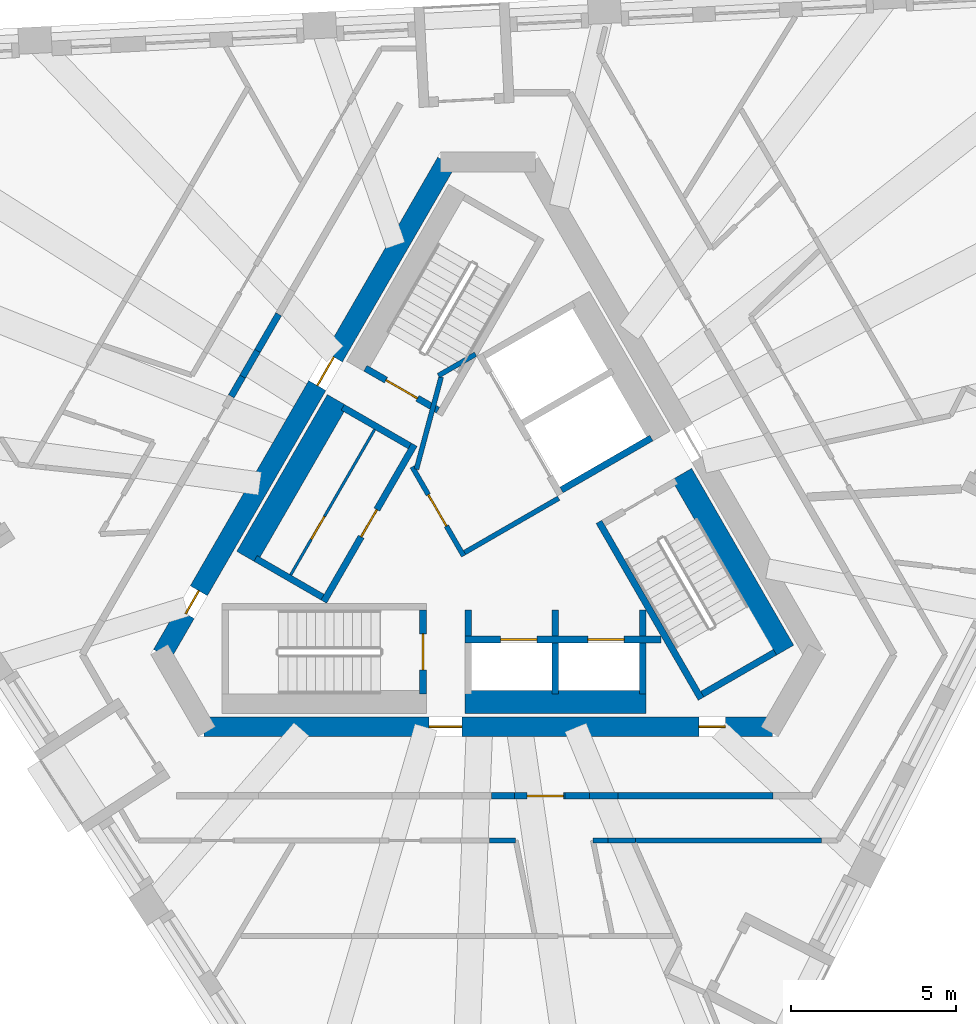
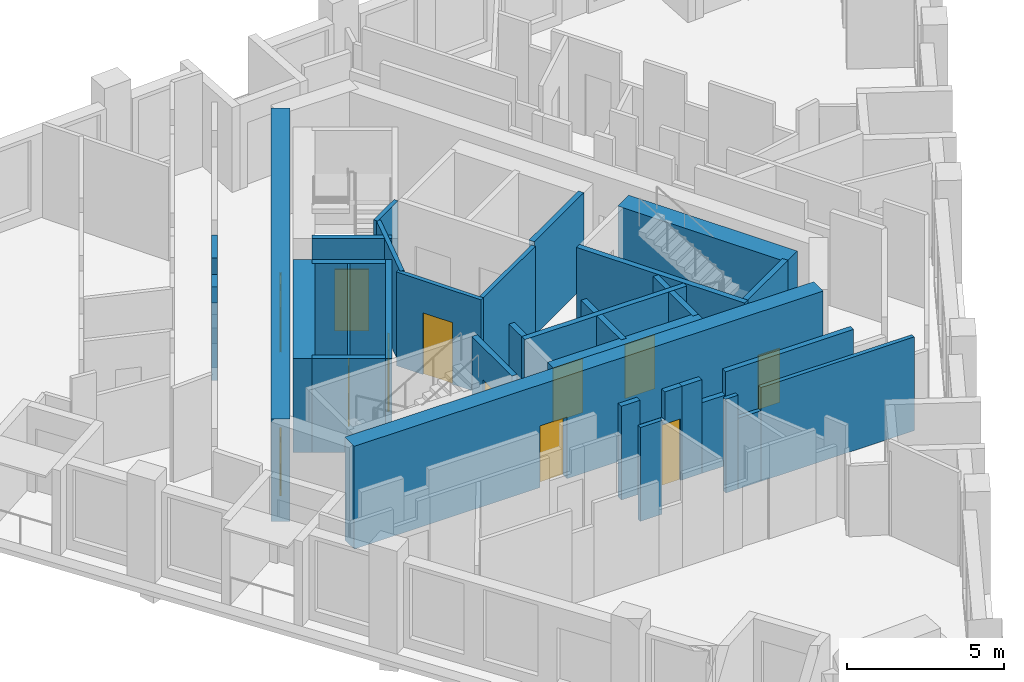
# One storey, part 4 of 12: 36 walls, 12 doors, 12 openings.
"""IFC4 building model written with IfcOpenShell, lengths in metres."""

from ifc_helpers import new_model, si_unit, direction, frame, frame_2d, origin, place, context, subcontext, project, spatial, polyline, rectangle, outline, extrude, material, layer, layer_set, type_object, element, fill, save


model = new_model("IFC4")

# Units and contexts
model_context = context("Model", 3, precision=1e-05, world=origin(), true_north=direction((0.0, 1.0)))
body_context = subcontext(model_context, "Body", "Model", "MODEL_VIEW")
ifc_project = project(units=[si_unit("LENGTHUNIT", "METRE"), si_unit("AREAUNIT", "SQUARE_METRE"), si_unit("VOLUMEUNIT", "CUBIC_METRE"), si_unit("PLANEANGLEUNIT", "RADIAN"), si_unit("MASSUNIT", "GRAM", prefix="KILO")], contexts=[model_context])

# Site, building, storey
site_placement = place(None, origin())
site = spatial("IfcSite", under=ifc_project, at=site_placement, CompositionType="ELEMENT")
building_placement = place(site_placement, origin())
building = spatial("IfcBuilding", under=site, at=building_placement, Name="Tramontana Tower", CompositionType="ELEMENT")
storey_placement = place(building_placement, frame((0.0, 0.0, 302.39990234375)))
storey = spatial("IfcBuildingStorey", under=building, at=storey_placement, Name="L71", CompositionType="ELEMENT", Elevation=302.39990234375)

# Wall, openings, doors
ifc_material_1 = material(Name="Concrete 70 MPa", Category="concrete")
ifc_layer_1 = layer(ifc_material_1, 0.60009765625)
ifc_layer_set_1 = layer_set([ifc_layer_1], Name="Core wall 600 70 MPa")
wall_type_1 = type_object("IfcWallType", Name="Core wall 600 70 MPa", PredefinedType="SHEAR", material=ifc_layer_set_1)
wall_1_placement = place(storey_placement, frame((-1.270263671875, 10.699951171875, 0.0), z_axis=(0.0, 0.0, 1.0), x_axis=(-0.499999536116, -0.866025671608, 0.0)))
wall_1 = element("IfcWall", 1, at=wall_1_placement, inside=storey, type_object=wall_type_1, Name="Core wall C1 L71", PredefinedType="SHEAR", context=body_context, shape_type="SweptSolid", body=[
    extrude(rectangle(XDim=17.2626953125, YDim=0.60009765625, at=frame_2d((8.63134765625, 0.0))), origin(), (0.0, 0.0, 1.0), 4.0),
])
opening_1_placement = place(wall_1_placement, frame((6.83642578125, 0.0, 0.0)))
opening_1 = element("IfcOpeningElement", 2, at=opening_1_placement, cuts=wall_1, Name="Opening RG1", PredefinedType="OPENING", context=body_context, shape_type="SweptSolid", body=[
    extrude(rectangle(XDim=1.0, YDim=2.39990234375, at=frame_2d((0.5, 1.199951171875))), frame((0.0, 0.31005859375, 0.0), z_axis=(0.0, -1.0, 0.0), x_axis=(1.0, 0.0, 0.0)), (0.0, 0.0, 1.0), 0.6201171875),
])
opening_2_placement = place(wall_1_placement, frame((15.0341796875, 0.0, 0.0)))
opening_2 = element("IfcOpeningElement", 3, at=opening_2_placement, cuts=wall_1, Name="Opening PD1", PredefinedType="OPENING", context=body_context, shape_type="SweptSolid", body=[
    extrude(rectangle(XDim=0.800048828125, YDim=2.10009765625, at=frame_2d((0.39990234375, 1.050048828125))), frame((0.0, 0.31005859375, 0.0), z_axis=(0.0, -1.0, 0.0), x_axis=(1.0, 0.0, 0.0)), (0.0, 0.0, 1.0), 0.6201171875),
])
ifc_material_2 = material(Name="Painted steel", Category="steel")
door_type_1 = type_object("IfcDoorType", Name="CUPBOARD DOOR 800", OperationType="SINGLE_SWING_LEFT", PredefinedType="DOOR", material=ifc_material_2)
door_1_placement = place(opening_2_placement, origin())
door_1 = element("IfcDoor", 4, at=door_1_placement, inside=storey, type_object=door_type_1, Name="Door PD1", OperationType="SINGLE_SWING_LEFT", OverallHeight=2.10009765625, OverallWidth=0.800048828125, PredefinedType="DOOR", context=body_context, shape_type="SweptSolid", body=[
    extrude(rectangle(XDim=0.800048828125, YDim=2.10009765625, at=frame_2d((0.39990234375, 1.050048828125))), frame((0.0, 0.02490234375, 0.0), z_axis=(0.0, -1.0, 0.0), x_axis=(1.0, 0.0, 0.0)), (0.0, 0.0, 1.0), 0.050048828125),
])
fill(opening_2, door_1)
ifc_material_3 = material(Name="Painted steel", Category="steel")
door_type_2 = type_object("IfcDoorType", Name="RING DOOR 1000", OperationType="SINGLE_SWING_LEFT", PredefinedType="DOOR", material=ifc_material_3)
door_2_placement = place(opening_1_placement, origin())
door_2 = element("IfcDoor", 5, at=door_2_placement, inside=storey, type_object=door_type_2, Name="Door RG1", OperationType="SINGLE_SWING_RIGHT", OverallHeight=2.39990234375, OverallWidth=1.0, PredefinedType="DOOR", context=body_context, shape_type="SweptSolid", body=[
    extrude(rectangle(XDim=1.0, YDim=2.39990234375, at=frame_2d((0.5, 1.199951171875))), frame((0.0, 0.02490234375, 0.0), z_axis=(0.0, -1.0, 0.0), x_axis=(1.0, 0.0, 0.0)), (0.0, 0.0, 1.0), 0.050048828125),
])
fill(opening_1, door_2)

wall_2_placement = place(storey_placement, frame((-8.63134765625, -6.449951171875, 0.0), z_axis=(0.0, 0.0, 1.0), x_axis=(1.0, 0.0, 0.0)))
wall_2 = element("IfcWall", 6, at=wall_2_placement, inside=storey, type_object=wall_type_1, Name="Core wall C3 L71", PredefinedType="SHEAR", context=body_context, shape_type="SweptSolid", body=[
    extrude(rectangle(XDim=17.2626953125, YDim=0.60009765625, at=frame_2d((8.63134765625, 0.0))), origin(), (0.0, 0.0, 1.0), 4.0),
])
opening_3_placement = place(wall_2_placement, frame((6.83642578125, 0.0, 0.0)))
opening_3 = element("IfcOpeningElement", 7, at=opening_3_placement, cuts=wall_2, Name="Opening RG2", PredefinedType="OPENING", context=body_context, shape_type="SweptSolid", body=[
    extrude(rectangle(XDim=1.0, YDim=2.39990234375, at=frame_2d((0.5, 1.199951171875))), frame((0.0, 0.31005859375, 0.0), z_axis=(0.0, -1.0, 0.0), x_axis=(1.0, 0.0, 0.0)), (0.0, 0.0, 1.0), 0.6201171875),
])
opening_4_placement = place(wall_2_placement, frame((15.0341796875, 0.0, 0.0)))
opening_4 = element("IfcOpeningElement", 8, at=opening_4_placement, cuts=wall_2, Name="Opening PD2", PredefinedType="OPENING", context=body_context, shape_type="SweptSolid", body=[
    extrude(rectangle(XDim=0.800048828125, YDim=2.10009765625, at=frame_2d((0.39990234375, 1.050048828125))), frame((0.0, 0.31005859375, 0.0), z_axis=(0.0, -1.0, 0.0), x_axis=(1.0, 0.0, 0.0)), (0.0, 0.0, 1.0), 0.6201171875),
])
door_3_placement = place(opening_4_placement, origin())
door_3 = element("IfcDoor", 9, at=door_3_placement, inside=storey, type_object=door_type_1, Name="Door PD2", OperationType="SINGLE_SWING_RIGHT", OverallHeight=2.10009765625, OverallWidth=0.800048828125, PredefinedType="DOOR", context=body_context, shape_type="SweptSolid", body=[
    extrude(rectangle(XDim=0.800048828125, YDim=2.10009765625, at=frame_2d((0.39990234375, 1.050048828125))), frame((0.0, 0.02490234375, 0.0), z_axis=(0.0, -1.0, 0.0), x_axis=(1.0, 0.0, 0.0)), (0.0, 0.0, 1.0), 0.050048828125),
])
fill(opening_4, door_3)
door_4_placement = place(opening_3_placement, origin())
door_4 = element("IfcDoor", 10, at=door_4_placement, inside=storey, type_object=door_type_2, Name="Door RG2", OperationType="SINGLE_SWING_LEFT", OverallHeight=2.39990234375, OverallWidth=1.0, PredefinedType="DOOR", context=body_context, shape_type="SweptSolid", body=[
    extrude(rectangle(XDim=1.0, YDim=2.39990234375, at=frame_2d((0.5, 1.199951171875))), frame((0.0, 0.02490234375, 0.0), z_axis=(0.0, -1.0, 0.0), x_axis=(1.0, 0.0, 0.0)), (0.0, 0.0, 1.0), 0.050048828125),
])
fill(opening_3, door_4)

# Walls
ifc_material_4 = material(Name="Blockwork", Category="masonry")
ifc_layer_2 = layer(ifc_material_4, 0.199951171875)
ifc_layer_set_2 = layer_set([ifc_layer_2], Name="ENTRY WALL 200")
wall_type_2 = type_object("IfcWallType", Name="ENTRY WALL 200", PredefinedType="SOLIDWALL", material=ifc_layer_set_2)
wall_3_placement = place(storey_placement, frame((8.6552734375, -8.550048828125, 0.0), z_axis=(0.0, 0.0, 1.0), x_axis=(-1.0, 0.0, 0.0)))
element("IfcWall", 11, at=wall_3_placement, inside=storey, type_object=wall_type_2, Name="Wall v72-ew1-1", PredefinedType="SOLIDWALL", context=body_context, shape_type="SweptSolid", body=[
    extrude(rectangle(XDim=4.71728515625, YDim=0.199951171875, at=frame_2d((2.358642578125, 0.0))), origin(), (0.0, 0.0, 1.0), 3.650146484375),
])
wall_4_placement = place(storey_placement, frame((3.93798828125, -8.550048828125, 0.0), z_axis=(0.0, 0.0, 1.0), x_axis=(-1.0, 0.0, 0.0)))
element("IfcWall", 12, at=wall_4_placement, inside=storey, type_object=wall_type_2, Name="Wall v72-ew1-2", PredefinedType="SOLIDWALL", context=body_context, shape_type="SweptSolid", body=[
    extrude(rectangle(XDim=0.864501953125, YDim=0.199951171875, at=frame_2d((0.43212890625, 0.0))), origin(), (0.0, 0.0, 1.0), 2.75),
])
wall_5_placement = place(storey_placement, frame((3.073486328125, -8.550048828125, 0.0), z_axis=(0.0, 0.0, 1.0), x_axis=(-1.0, 0.0, 0.0)))
element("IfcWall", 13, at=wall_5_placement, inside=storey, type_object=wall_type_2, Name="Wall v72-ew1-3", PredefinedType="SOLIDWALL", context=body_context, shape_type="SweptSolid", body=[
    extrude(rectangle(XDim=0.73828125, YDim=0.199951171875, at=frame_2d((0.369140625, 0.0))), origin(), (0.0, 0.0, 1.0), 3.650146484375),
])

# Wall, opening, door
wall_6_placement = place(storey_placement, frame((0.795166015625, -8.550048828125, 0.0), z_axis=(0.0, 0.0, 1.0), x_axis=(1.0, 0.0, 0.0)))
wall_6 = element("IfcWall", 14, at=wall_6_placement, inside=storey, type_object=wall_type_2, Name="Wall v72-ew1-4", PredefinedType="SOLIDWALL", context=body_context, shape_type="SweptSolid", body=[
    extrude(outline(polyline([(0.0, 0.0), (1.5400390625, 0.0), (1.5400390625, 3.650146484375), (0.90966796875, 3.650146484375), (0.90966796875, 2.550048828125), (0.0, 2.550048828125), (0.0, 0.0)])), frame((0.0, 0.10009765625, 0.0), z_axis=(0.0, -1.0, 0.0), x_axis=(1.0, 0.0, 0.0)), (0.0, 0.0, 1.0), 0.199951171875),
])
opening_5_placement = place(wall_6_placement, frame((0.39013671875, 0.0, 0.0)))
opening_5 = element("IfcOpeningElement", 15, at=opening_5_placement, cuts=wall_6, Name="Opening B7C-18", PredefinedType="OPENING", context=body_context, shape_type="SweptSolid", body=[
    extrude(rectangle(XDim=1.10009765625, YDim=2.39990234375, at=frame_2d((0.550048828125, 1.199951171875))), frame((0.0, 0.10986328125, 0.0), z_axis=(0.0, -1.0, 0.0), x_axis=(1.0, 0.0, 0.0)), (0.0, 0.0, 1.0), 0.219970703125),
])
ifc_material_5 = material(Name="Painted timber", Category="wood")
door_type_3 = type_object("IfcDoorType", Name="DOOR ENTRY 1100", OperationType="SINGLE_SWING_LEFT", PredefinedType="DOOR", material=ifc_material_5)
door_5_placement = place(opening_5_placement, origin())
door_5 = element("IfcDoor", 16, at=door_5_placement, inside=storey, type_object=door_type_3, Name="Door B7C-18", OperationType="SINGLE_SWING_RIGHT", OverallHeight=2.39990234375, OverallWidth=1.10009765625, PredefinedType="DOOR", context=body_context, shape_type="SweptSolid", body=[
    extrude(rectangle(XDim=1.10009765625, YDim=2.39990234375, at=frame_2d((0.550048828125, 1.199951171875))), frame((0.0, 0.02490234375, 0.0), z_axis=(0.0, -1.0, 0.0), x_axis=(1.0, 0.0, 0.0)), (0.0, 0.0, 1.0), 0.050048828125),
])
fill(opening_5, door_5)

# Walls
wall_7_placement = place(storey_placement, frame((0.795166015625, -8.550048828125, 0.0), z_axis=(0.0, 0.0, 1.0), x_axis=(-1.0, 0.0, 0.0)))
element("IfcWall", 17, at=wall_7_placement, inside=storey, type_object=wall_type_2, Name="Wall v72-ew1-5", PredefinedType="SOLIDWALL", context=body_context, shape_type="SweptSolid", body=[
    extrude(rectangle(XDim=0.69091796875, YDim=0.199951171875, at=frame_2d((0.345458984375, 0.0))), origin(), (0.0, 0.0, 1.0), 3.650146484375),
])
wall_8_placement = place(storey_placement, frame((-7.80224609375, 3.586181640625, 0.0), z_axis=(0.0, 0.0, 1.0), x_axis=(0.500242282693, 0.865885476611, 0.0)))
element("IfcWall", 18, at=wall_8_placement, inside=storey, type_object=wall_type_2, Name="Wall v72-ew3-5", PredefinedType="SOLIDWALL", context=body_context, shape_type="SweptSolid", body=[
    extrude(rectangle(XDim=0.691162109375, YDim=0.199951171875, at=frame_2d((0.345703125, 0.0))), origin(), (0.0, 0.0, 1.0), 3.650146484375),
])
wall_9_placement = place(storey_placement, frame((-7.45654296875, 4.1845703125, 0.0), z_axis=(0.0, 0.0, 1.0), x_axis=(0.499753735824, 0.866167537795, 0.0)))
element("IfcWall", 19, at=wall_9_placement, inside=storey, type_object=wall_type_2, Name="Wall v72-ew3-6", PredefinedType="SOLIDWALL", context=body_context, shape_type="SweptSolid", body=[
    extrude(rectangle(XDim=0.90087890625, YDim=0.199951171875, at=frame_2d((0.450439453125, 0.0))), origin(), (0.0, 0.0, 1.0), 2.550048828125),
])
wall_10_placement = place(storey_placement, frame((-7.00634765625, 4.96484375, 0.0), z_axis=(0.0, 0.0, 1.0), x_axis=(0.500018234033, 0.866014876105, 0.0)))
element("IfcWall", 20, at=wall_10_placement, inside=storey, type_object=wall_type_2, Name="Wall v72-ew3-7", PredefinedType="SOLIDWALL", context=body_context, shape_type="SweptSolid", body=[
    extrude(rectangle(XDim=1.2861328125, YDim=0.199951171875, at=frame_2d((0.64306640625, 0.0))), origin(), (0.0, 0.0, 1.0), 3.650146484375),
])

# Wall, opening, door
ifc_material_6 = material(Name="Gypsum board partition")
ifc_layer_3 = layer(ifc_material_6, 0.14990234375)
ifc_layer_set_3 = layer_set([ifc_layer_3], Name="PARTITION 150")
wall_type_3 = type_object("IfcWallType", Name="PARTITION 150", PredefinedType="PARTITIONING", material=ifc_layer_set_3)
wall_11_placement = place(storey_placement, frame((-0.744140625, -1.260986328125, 0.0), z_axis=(0.0, 0.0, 1.0), x_axis=(-0.500004234368, 0.866022959057, 0.0)))
wall_11 = element("IfcWall", 21, at=wall_11_placement, inside=storey, type_object=wall_type_3, Name="Wall ff-front", PredefinedType="PARTITIONING", context=body_context, shape_type="SweptSolid", body=[
    extrude(rectangle(XDim=3.125, YDim=0.14990234375, at=frame_2d((1.5625, 0.0))), origin(), (0.0, 0.0, 1.0), 3.650146484375),
])
opening_6_placement = place(wall_11_placement, frame((1.050048828125, 0.0, 0.0)))
opening_6 = element("IfcOpeningElement", 22, at=opening_6_placement, cuts=wall_11, Name="Opening FD1", PredefinedType="OPENING", context=body_context, shape_type="SweptSolid", body=[
    extrude(rectangle(XDim=1.10009765625, YDim=2.39990234375, at=frame_2d((0.550048828125, 1.199951171875))), frame((0.0, 0.0849609375, 0.0), z_axis=(0.0, -1.0, 0.0), x_axis=(1.0, 0.0, 0.0)), (0.0, 0.0, 1.0), 0.169921875),
])
door_6_placement = place(opening_6_placement, origin())
door_6 = element("IfcDoor", 23, at=door_6_placement, inside=storey, type_object=door_type_3, Name="Door FD1", OperationType="SINGLE_SWING_LEFT", OverallHeight=2.39990234375, OverallWidth=1.10009765625, PredefinedType="DOOR", context=body_context, shape_type="SweptSolid", body=[
    extrude(rectangle(XDim=1.10009765625, YDim=2.39990234375, at=frame_2d((0.550048828125, 1.199951171875))), frame((0.0, 0.02490234375, 0.0), z_axis=(0.0, -1.0, 0.0), x_axis=(1.0, 0.0, 0.0)), (0.0, 0.0, 1.0), 0.050048828125),
])
fill(opening_6, door_6)

# Walls
wall_12_placement = place(storey_placement, frame((-0.716796875, -1.15869140625, 0.0), z_axis=(0.0, 0.0, 1.0), x_axis=(0.866008176907, 0.50002983664, 0.0)))
element("IfcWall", 24, at=wall_12_placement, inside=storey, type_object=wall_type_3, Name="Wall ff-end0", PredefinedType="PARTITIONING", context=body_context, shape_type="SweptSolid", body=[
    extrude(rectangle(XDim=3.300048828125, YDim=0.14990234375, at=frame_2d((1.64990234375, 0.0))), origin(), (0.0, 0.0, 1.0), 3.650146484375),
])
wall_13_placement = place(storey_placement, frame((-2.177978515625, 1.372314453125, 0.0), z_axis=(0.0, 0.0, 1.0), x_axis=(0.258808958833, 0.96592852884, 0.0)))
element("IfcWall", 25, at=wall_13_placement, inside=storey, type_object=wall_type_3, Name="Wall ff-diag", PredefinedType="PARTITIONING", context=body_context, shape_type="SweptSolid", body=[
    extrude(rectangle(XDim=2.902587890625, YDim=0.14990234375, at=frame_2d((1.451171875, 0.0))), origin(), (0.0, 0.0, 1.0), 3.650146484375),
])
wall_14_placement = place(storey_placement, frame((-1.509765625, 4.21484375, 0.0), z_axis=(0.0, 0.0, 1.0), x_axis=(0.866085525409, 0.49989585183, 0.0)))
element("IfcWall", 26, at=wall_14_placement, inside=storey, type_object=wall_type_3, Name="Wall ff-end1", PredefinedType="PARTITIONING", context=body_context, shape_type="SweptSolid", body=[
    extrude(rectangle(XDim=1.300048828125, YDim=0.14990234375, at=frame_2d((0.64990234375, 0.0))), origin(), (0.0, 0.0, 1.0), 3.650146484375),
])
wall_15_placement = place(storey_placement, frame((0.8359375, -9.89990234375, 0.0), z_axis=(0.0, 0.0, 1.0), x_axis=(-1.0, 0.0, 0.0)))
element("IfcWall", 27, at=wall_15_placement, inside=storey, type_object=wall_type_3, Name="Wall v72-pw14-0", PredefinedType="PARTITIONING", context=body_context, shape_type="SweptSolid", body=[
    extrude(rectangle(XDim=0.798828125, YDim=0.14990234375, at=frame_2d((0.3994140625, 0.0))), origin(), (0.0, 0.0, 1.0), 3.650146484375),
])
wall_16_placement = place(storey_placement, frame((10.121337890625, -9.89990234375, 0.0), z_axis=(0.0, 0.0, 1.0), x_axis=(-1.0, 0.0, 0.0)))
element("IfcWall", 28, at=wall_16_placement, inside=storey, type_object=wall_type_3, Name="Wall v72-pw30-1", PredefinedType="PARTITIONING", context=body_context, shape_type="SweptSolid", body=[
    extrude(rectangle(XDim=5.643310546875, YDim=0.14990234375, at=frame_2d((2.82177734375, 0.0))), origin(), (0.0, 0.0, 1.0), 3.650146484375),
])
wall_17_placement = place(storey_placement, frame((4.47802734375, -9.89990234375, 0.0), z_axis=(0.0, 0.0, 1.0), x_axis=(-1.0, 0.0, 0.0)))
element("IfcWall", 29, at=wall_17_placement, inside=storey, type_object=wall_type_3, Name="Wall v72-pw30-2", PredefinedType="PARTITIONING", context=body_context, shape_type="SweptSolid", body=[
    extrude(rectangle(XDim=0.837646484375, YDim=0.14990234375, at=frame_2d((0.4189453125, 0.0))), origin(), (0.0, 0.0, 1.0), 2.75),
])
wall_18_placement = place(storey_placement, frame((3.640380859375, -9.89990234375, 0.0), z_axis=(0.0, 0.0, 1.0), x_axis=(-1.0, 0.0, 0.0)))
element("IfcWall", 30, at=wall_18_placement, inside=storey, type_object=wall_type_3, Name="Wall v72-pw30-3", PredefinedType="PARTITIONING", context=body_context, shape_type="SweptSolid", body=[
    extrude(rectangle(XDim=0.45751953125, YDim=0.14990234375, at=frame_2d((0.228759765625, 0.0))), origin(), (0.0, 0.0, 1.0), 3.650146484375),
])

# Wall, opening, door
ifc_material_7 = material(Name="Gypsum board partition")
ifc_layer_4 = layer(ifc_material_7, 0.080078125)
ifc_layer_set_4 = layer_set([ifc_layer_4], Name="PARTITION 80")
wall_type_4 = type_object("IfcWallType", Name="PARTITION 80", PredefinedType="PARTITIONING", material=ifc_layer_set_4)
wall_19_placement = place(storey_placement, frame((-5.997314453125, -1.837646484375, 0.0), z_axis=(0.0, 0.0, 1.0), x_axis=(0.500005610874, 0.86602216432, 0.0)))
wall_19 = element("IfcWall", 31, at=wall_19_placement, inside=storey, type_object=wall_type_4, Name="Wall row0-split", PredefinedType="PARTITIONING", context=body_context, shape_type="SweptSolid", body=[
    extrude(rectangle(XDim=5.10009765625, YDim=0.080078125, at=frame_2d((2.550048828125, 0.0))), origin(), (0.0, 0.0, 1.0), 3.650146484375),
])
opening_7_placement = place(wall_19_placement, frame((1.25, 0.0, 0.0)))
opening_7 = element("IfcOpeningElement", 32, at=opening_7_placement, cuts=wall_19, Name="Opening RD-0B", PredefinedType="OPENING", context=body_context, shape_type="SweptSolid", body=[
    extrude(rectangle(XDim=0.800048828125, YDim=2.10009765625, at=frame_2d((0.39990234375, 1.050048828125))), frame((0.0, 0.050048828125, 0.0), z_axis=(0.0, -1.0, 0.0), x_axis=(1.0, 0.0, 0.0)), (0.0, 0.0, 1.0), 0.10009765625),
])
door_7_placement = place(opening_7_placement, origin())
door_7 = element("IfcDoor", 33, at=door_7_placement, inside=storey, type_object=door_type_1, Name="Door RD-0B", OperationType="SINGLE_SWING_RIGHT", OverallHeight=2.10009765625, OverallWidth=0.800048828125, PredefinedType="DOOR", context=body_context, shape_type="SweptSolid", body=[
    extrude(rectangle(XDim=0.800048828125, YDim=2.10009765625, at=frame_2d((0.39990234375, 1.050048828125))), frame((0.0, 0.02490234375, 0.0), z_axis=(0.0, -1.0, 0.0), x_axis=(1.0, 0.0, 0.0)), (0.0, 0.0, 1.0), 0.050048828125),
])
fill(opening_7, door_7)

# Walls
ifc_material_8 = material(Name="Concrete 70 MPa", Category="concrete")
ifc_layer_5 = layer(ifc_material_8, 0.699951171875)
ifc_layer_set_5 = layer_set([ifc_layer_5], Name="Concrete 70 MPa, 700 mm")
wall_type_5 = type_object("IfcWallType", Name="RC SHAFT BACK WALL 700", PredefinedType="SOLIDWALL", material=ifc_layer_set_5)
wall_20_placement = place(storey_placement, frame((8.976318359375, -4.1474609375, 0.0), z_axis=(0.0, 0.0, 1.0), x_axis=(-0.49998037582, 0.866036733513, 0.0)))
element("IfcWall", 34, at=wall_20_placement, inside=storey, type_object=wall_type_5, Name="Wall st3-back", PredefinedType="SOLIDWALL", context=body_context, shape_type="SweptSolid", body=[
    extrude(rectangle(XDim=6.199951171875, YDim=0.699951171875, at=frame_2d((3.10009765625, 0.0))), origin(), (0.0, 0.0, 1.0), 3.650146484375),
])
for number, where, z_axis, x_axis, name in (
    (35, (-4.581298828125, 3.46484375, 0.0), (0.0, 0.0, 1.0), (-0.499996545922, -0.866027397988, 0.0), "Wall row0-back"),
    (36, (-0.7099609375, -5.699951171875, 0.0), (0.0, 0.0, 1.0), (1.0, 0.0, 0.0), "Wall row1-back"),
):
    element("IfcWall", number, at=place(storey_placement, frame(where, z_axis=z_axis, x_axis=x_axis)), inside=storey, type_object=wall_type_5, Name=name, PredefinedType="SOLIDWALL", context=body_context, shape_type="SweptSolid", body=[
        extrude(rectangle(XDim=5.5, YDim=0.699951171875, at=frame_2d((2.75, 0.0))), origin(), (0.0, 0.0, 1.0), 3.650146484375),
    ])

# Wall, opening, door
ifc_material_9 = material(Name="Concrete 70 MPa", Category="concrete")
ifc_layer_6 = layer(ifc_material_9, 0.199951171875)
ifc_layer_set_6 = layer_set([ifc_layer_6], Name="Concrete 70 MPa, 200 mm")
wall_type_6 = type_object("IfcWallType", Name="RC STAIR AND SHAFT WALL 200", PredefinedType="SOLIDWALL", material=ifc_layer_set_6)
wall_21_placement = place(storey_placement, frame((-1.521484375, 3.164794921875, 0.0), z_axis=(0.0, 0.0, 1.0), x_axis=(-0.866030925526, 0.499990435942, 0.0)))
wall_21 = element("IfcWall", 37, at=wall_21_placement, inside=storey, type_object=wall_type_6, Name="Wall st1-near", PredefinedType="SOLIDWALL", context=body_context, shape_type="SweptSolid", body=[
    extrude(rectangle(XDim=2.5498046875, YDim=0.199951171875, at=frame_2d((1.27490234375, 0.0))), origin(), (0.0, 0.0, 1.0), 3.650146484375),
])
opening_8_placement = place(wall_21_placement, frame((0.72509765625, 0.0, 0.0)))
opening_8 = element("IfcOpeningElement", 38, at=opening_8_placement, cuts=wall_21, Name="Opening SD1", PredefinedType="OPENING", context=body_context, shape_type="SweptSolid", body=[
    extrude(rectangle(XDim=1.10009765625, YDim=2.39990234375, at=frame_2d((0.550048828125, 1.199951171875))), frame((0.0, 0.10986328125, 0.0), z_axis=(0.0, -1.0, 0.0), x_axis=(1.0, 0.0, 0.0)), (0.0, 0.0, 1.0), 0.219970703125),
])
ifc_material_10 = material(Name="Painted steel", Category="steel")
door_type_4 = type_object("IfcDoorType", Name="STAIR DOOR 1100", OperationType="SINGLE_SWING_LEFT", PredefinedType="DOOR", material=ifc_material_10)
door_8_placement = place(opening_8_placement, origin())
door_8 = element("IfcDoor", 39, at=door_8_placement, inside=storey, type_object=door_type_4, Name="Door SD1", OperationType="SINGLE_SWING_RIGHT", OverallHeight=2.39990234375, OverallWidth=1.10009765625, PredefinedType="DOOR", context=body_context, shape_type="SweptSolid", body=[
    extrude(rectangle(XDim=1.10009765625, YDim=2.39990234375, at=frame_2d((0.550048828125, 1.199951171875))), frame((0.0, 0.02490234375, 0.0), z_axis=(0.0, -1.0, 0.0), x_axis=(1.0, 0.0, 0.0)), (0.0, 0.0, 1.0), 0.050048828125),
])
fill(opening_8, door_8)

wall_22_placement = place(storey_placement, frame((-1.97998046875, -2.89990234375, 0.0), z_axis=(0.0, 0.0, 1.0), x_axis=(0.0, -1.0, 0.0)))
wall_22 = element("IfcWall", 40, at=wall_22_placement, inside=storey, type_object=wall_type_6, Name="Wall st2-near", PredefinedType="SOLIDWALL", context=body_context, shape_type="SweptSolid", body=[
    extrude(rectangle(XDim=2.550048828125, YDim=0.199951171875, at=frame_2d((1.27490234375, 0.0))), origin(), (0.0, 0.0, 1.0), 3.650146484375),
])
opening_9_placement = place(wall_22_placement, frame((0.72509765625, 0.0, 0.0)))
opening_9 = element("IfcOpeningElement", 41, at=opening_9_placement, cuts=wall_22, Name="Opening SD2", PredefinedType="OPENING", context=body_context, shape_type="SweptSolid", body=[
    extrude(rectangle(XDim=1.10009765625, YDim=2.39990234375, at=frame_2d((0.550048828125, 1.199951171875))), frame((0.0, 0.10986328125, 0.0), z_axis=(0.0, -1.0, 0.0), x_axis=(1.0, 0.0, 0.0)), (0.0, 0.0, 1.0), 0.219970703125),
])
door_9_placement = place(opening_9_placement, origin())
door_9 = element("IfcDoor", 42, at=door_9_placement, inside=storey, type_object=door_type_4, Name="Door SD2", OperationType="SINGLE_SWING_LEFT", OverallHeight=2.39990234375, OverallWidth=1.10009765625, PredefinedType="DOOR", context=body_context, shape_type="SweptSolid", body=[
    extrude(rectangle(XDim=1.10009765625, YDim=2.39990234375, at=frame_2d((0.550048828125, 1.199951171875))), frame((0.0, 0.02490234375, 0.0), z_axis=(0.0, -1.0, 0.0), x_axis=(1.0, 0.0, 0.0)), (0.0, 0.0, 1.0), 0.050048828125),
])
fill(opening_9, door_9)

# Walls
wall_23_placement = place(storey_placement, frame((6.46484375, -5.597412109375, 0.0), z_axis=(0.0, 0.0, 1.0), x_axis=(-0.49998037582, 0.866036733513, 0.0)))
element("IfcWall", 43, at=wall_23_placement, inside=storey, type_object=wall_type_6, Name="Wall st3-front", PredefinedType="SOLIDWALL", context=body_context, shape_type="SweptSolid", body=[
    extrude(rectangle(XDim=6.199951171875, YDim=0.199951171875, at=frame_2d((3.10009765625, 0.0))), origin(), (0.0, 0.0, 1.0), 3.650146484375),
])
wall_24_placement = place(storey_placement, frame((6.50146484375, -5.4609375, 0.0), z_axis=(0.0, 0.0, 1.0), x_axis=(0.865989465428, 0.500062241894, 0.0)))
element("IfcWall", 44, at=wall_24_placement, inside=storey, type_object=wall_type_6, Name="Wall st3-far", PredefinedType="SOLIDWALL", context=body_context, shape_type="SweptSolid", body=[
    extrude(rectangle(XDim=2.550048828125, YDim=0.199951171875, at=frame_2d((1.27490234375, 0.0))), origin(), (0.0, 0.0, 1.0), 3.650146484375),
])

# Wall, opening, door
wall_25_placement = place(storey_placement, frame((-4.9931640625, -2.648193359375, 0.0), z_axis=(0.0, 0.0, 1.0), x_axis=(0.499996545922, 0.866027397988, 0.0)))
wall_25 = element("IfcWall", 45, at=wall_25_placement, inside=storey, type_object=wall_type_6, Name="Wall row0-front", PredefinedType="SOLIDWALL", context=body_context, shape_type="SweptSolid", body=[
    extrude(rectangle(XDim=5.5, YDim=0.199951171875, at=frame_2d((2.75, 0.0))), origin(), (0.0, 0.0, 1.0), 3.650146484375),
])
opening_10_placement = place(wall_25_placement, frame((2.27490234375, 0.0, 0.0)))
opening_10 = element("IfcOpeningElement", 46, at=opening_10_placement, cuts=wall_25, Name="Opening RD-0A", PredefinedType="OPENING", context=body_context, shape_type="SweptSolid", body=[
    extrude(rectangle(XDim=0.949951171875, YDim=2.39990234375, at=frame_2d((0.47509765625, 1.199951171875))), frame((0.0, 0.10986328125, 0.0), z_axis=(0.0, -1.0, 0.0), x_axis=(1.0, 0.0, 0.0)), (0.0, 0.0, 1.0), 0.219970703125),
])
ifc_material_11 = material(Name="Painted timber", Category="wood")
door_type_5 = type_object("IfcDoorType", Name="DOOR ROOM 950", OperationType="SINGLE_SWING_LEFT", PredefinedType="DOOR", material=ifc_material_11)
door_10_placement = place(opening_10_placement, origin())
door_10 = element("IfcDoor", 47, at=door_10_placement, inside=storey, type_object=door_type_5, Name="Door RD-0A", OperationType="SINGLE_SWING_LEFT", OverallHeight=2.39990234375, OverallWidth=0.949951171875, PredefinedType="DOOR", context=body_context, shape_type="SweptSolid", body=[
    extrude(rectangle(XDim=0.949951171875, YDim=2.39990234375, at=frame_2d((0.47509765625, 1.199951171875))), frame((0.0, 0.02490234375, 0.0), z_axis=(0.0, -1.0, 0.0), x_axis=(1.0, 0.0, 0.0)), (0.0, 0.0, 1.0), 0.050048828125),
])
fill(opening_10, door_10)

# Walls
wall_26_placement = place(storey_placement, frame((-2.379638671875, 2.078369140625, 0.0), z_axis=(0.0, 0.0, 1.0), x_axis=(-0.866061024631, 0.499938297808, 0.0)))
element("IfcWall", 48, at=wall_26_placement, inside=storey, type_object=wall_type_6, Name="Wall row0-side0", PredefinedType="SOLIDWALL", context=body_context, shape_type="SweptSolid", body=[
    extrude(rectangle(XDim=2.349853515625, YDim=0.199951171875, at=frame_2d((1.1748046875, 0.0))), origin(), (0.0, 0.0, 1.0), 3.650146484375),
])
wall_27_placement = place(storey_placement, frame((-5.02978515625, -2.51171875, 0.0), z_axis=(0.0, 0.0, 1.0), x_axis=(-0.866016039709, 0.500016218704, 0.0)))
element("IfcWall", 49, at=wall_27_placement, inside=storey, type_object=wall_type_6, Name="Wall row0-side2", PredefinedType="SOLIDWALL", context=body_context, shape_type="SweptSolid", body=[
    extrude(rectangle(XDim=2.35009765625, YDim=0.199951171875, at=frame_2d((1.175048828125, 0.0))), origin(), (0.0, 0.0, 1.0), 3.650146484375),
])

# Wall, openings, doors
wall_28_placement = place(storey_placement, frame((-0.7099609375, -3.800048828125, 0.0), z_axis=(0.0, 0.0, 1.0), x_axis=(1.0, 0.0, 0.0)))
wall_28 = element("IfcWall", 50, at=wall_28_placement, inside=storey, type_object=wall_type_6, Name="Wall row1-front", PredefinedType="SOLIDWALL", context=body_context, shape_type="SweptSolid", body=[
    extrude(rectangle(XDim=5.96142578125, YDim=0.199951171875, at=frame_2d((2.980712890625, 0.0))), origin(), (0.0, 0.0, 1.0), 3.650146484375),
])
opening_11_placement = place(wall_28_placement, frame((1.090087890625, 0.0, 0.0)))
opening_11 = element("IfcOpeningElement", 51, at=opening_11_placement, cuts=wall_28, Name="Opening LD-S1", PredefinedType="OPENING", context=body_context, shape_type="SweptSolid", body=[
    extrude(rectangle(XDim=1.10009765625, YDim=2.10009765625, at=frame_2d((0.550048828125, 1.050048828125))), frame((0.0, 0.10986328125, 0.0), z_axis=(0.0, -1.0, 0.0), x_axis=(1.0, 0.0, 0.0)), (0.0, 0.0, 1.0), 0.219970703125),
])
opening_12_placement = place(wall_28_placement, frame((3.739990234375, 0.0, 0.0)))
opening_12 = element("IfcOpeningElement", 52, at=opening_12_placement, cuts=wall_28, Name="Opening LD-S2", PredefinedType="OPENING", context=body_context, shape_type="SweptSolid", body=[
    extrude(rectangle(XDim=1.10009765625, YDim=2.10009765625, at=frame_2d((0.550048828125, 1.050048828125))), frame((0.0, 0.10986328125, 0.0), z_axis=(0.0, -1.0, 0.0), x_axis=(1.0, 0.0, 0.0)), (0.0, 0.0, 1.0), 0.219970703125),
])
ifc_material_12 = material(Name="Brushed steel", Category="steel")
door_type_6 = type_object("IfcDoorType", Name="LANDING DOOR 1100", OperationType="SINGLE_SWING_LEFT", PredefinedType="DOOR", material=ifc_material_12)
door_11_placement = place(opening_11_placement, origin())
door_11 = element("IfcDoor", 53, at=door_11_placement, inside=storey, type_object=door_type_6, Name="Door LD-S1", OperationType="SLIDING_TO_LEFT", OverallHeight=2.10009765625, OverallWidth=1.10009765625, PredefinedType="DOOR", context=body_context, shape_type="SweptSolid", body=[
    extrude(rectangle(XDim=1.10009765625, YDim=2.10009765625, at=frame_2d((0.550048828125, 1.050048828125))), frame((0.0, 0.02490234375, 0.0), z_axis=(0.0, -1.0, 0.0), x_axis=(1.0, 0.0, 0.0)), (0.0, 0.0, 1.0), 0.050048828125),
])
fill(opening_11, door_11)
door_12_placement = place(opening_12_placement, origin())
door_12 = element("IfcDoor", 54, at=door_12_placement, inside=storey, type_object=door_type_6, Name="Door LD-S2", OperationType="SLIDING_TO_RIGHT", OverallHeight=2.10009765625, OverallWidth=1.10009765625, PredefinedType="DOOR", context=body_context, shape_type="SweptSolid", body=[
    extrude(rectangle(XDim=1.10009765625, YDim=2.10009765625, at=frame_2d((0.550048828125, 1.050048828125))), frame((0.0, 0.02490234375, 0.0), z_axis=(0.0, -1.0, 0.0), x_axis=(1.0, 0.0, 0.0)), (0.0, 0.0, 1.0), 0.050048828125),
])
fill(opening_12, door_12)

# Walls
wall_29_placement = place(storey_placement, frame((-0.610107421875, -2.89990234375, 0.0), z_axis=(0.0, 0.0, 1.0), x_axis=(0.0, -1.0, 0.0)))
element("IfcWall", 55, at=wall_29_placement, inside=storey, type_object=wall_type_6, Name="Wall row1-side0-ret", PredefinedType="SOLIDWALL", context=body_context, shape_type="SweptSolid", body=[
    extrude(rectangle(XDim=0.800048828125, YDim=0.199951171875, at=frame_2d((0.39990234375, 0.0))), origin(), (0.0, 0.0, 1.0), 3.650146484375),
])
wall_30_placement = place(storey_placement, frame((2.0400390625, -3.89990234375, 0.0), z_axis=(0.0, 0.0, 1.0), x_axis=(0.0, -1.0, 0.0)))
element("IfcWall", 56, at=wall_30_placement, inside=storey, type_object=wall_type_6, Name="Wall row1-side1", PredefinedType="SOLIDWALL", context=body_context, shape_type="SweptSolid", body=[
    extrude(rectangle(XDim=1.550048828125, YDim=0.199951171875, at=frame_2d((0.77490234375, 0.0))), origin(), (0.0, 0.0, 1.0), 3.650146484375),
])
wall_31_placement = place(storey_placement, frame((2.0400390625, -2.89990234375, 0.0), z_axis=(0.0, 0.0, 1.0), x_axis=(0.0, -1.0, 0.0)))
element("IfcWall", 57, at=wall_31_placement, inside=storey, type_object=wall_type_6, Name="Wall row1-side1-ret", PredefinedType="SOLIDWALL", context=body_context, shape_type="SweptSolid", body=[
    extrude(rectangle(XDim=0.800048828125, YDim=0.199951171875, at=frame_2d((0.39990234375, 0.0))), origin(), (0.0, 0.0, 1.0), 3.650146484375),
])
wall_32_placement = place(storey_placement, frame((4.68994140625, -3.89990234375, 0.0), z_axis=(0.0, 0.0, 1.0), x_axis=(0.0, -1.0, 0.0)))
element("IfcWall", 58, at=wall_32_placement, inside=storey, type_object=wall_type_6, Name="Wall row1-side2", PredefinedType="SOLIDWALL", context=body_context, shape_type="SweptSolid", body=[
    extrude(rectangle(XDim=1.550048828125, YDim=0.199951171875, at=frame_2d((0.77490234375, 0.0))), origin(), (0.0, 0.0, 1.0), 3.650146484375),
])
wall_33_placement = place(storey_placement, frame((4.68994140625, -2.89990234375, 0.0), z_axis=(0.0, 0.0, 1.0), x_axis=(0.0, -1.0, 0.0)))
element("IfcWall", 59, at=wall_33_placement, inside=storey, type_object=wall_type_6, Name="Wall row1-side2-ret", PredefinedType="SOLIDWALL", context=body_context, shape_type="SweptSolid", body=[
    extrude(rectangle(XDim=0.800048828125, YDim=0.199951171875, at=frame_2d((0.39990234375, 0.0))), origin(), (0.0, 0.0, 1.0), 3.650146484375),
])
wall_34_placement = place(storey_placement, frame((2.226806640625, 0.742919921875, 0.0), z_axis=(0.0, 0.0, 1.0), x_axis=(0.866035871367, 0.499981869177, 0.0)))
element("IfcWall", 60, at=wall_34_placement, inside=storey, type_object=wall_type_6, Name="Wall row2-side0", PredefinedType="SOLIDWALL", context=body_context, shape_type="SweptSolid", body=[
    extrude(rectangle(XDim=3.14990234375, YDim=0.199951171875, at=frame_2d((1.574951171875, 0.0))), origin(), (0.0, 0.0, 1.0), 3.650146484375),
])

save(model, "model.ifc")
